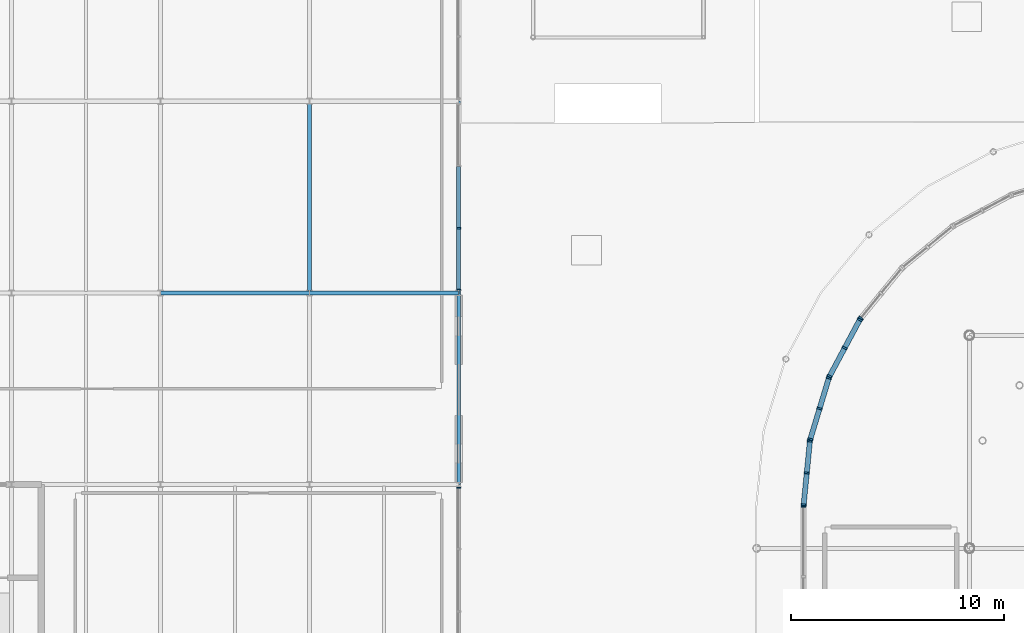
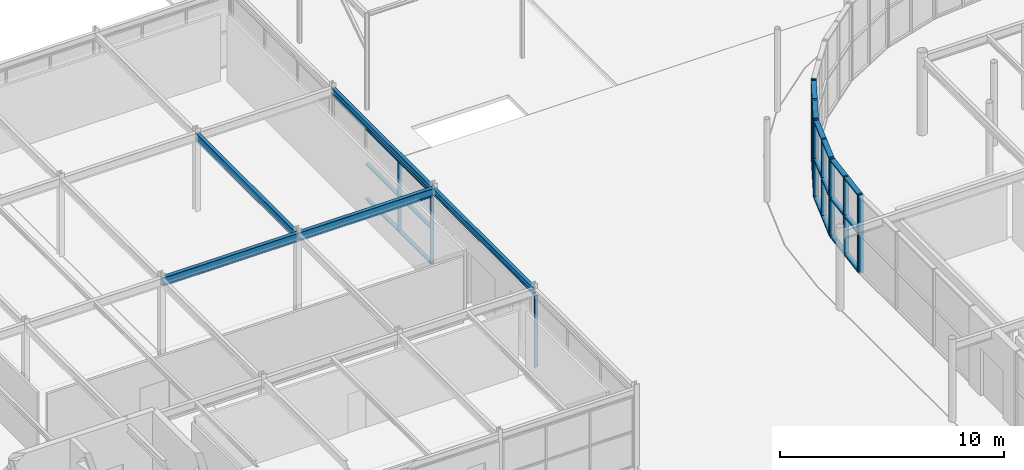
# One storey, part 51 of 119: 38 members, 5 beams, 7 elements without a shape of their own.
"""IFC4 building model written with IfcOpenShell, lengths in metres."""

import ifcopenshell
import ifcopenshell.guid

model = None  # the IFC model being written
_history = None  # IfcOwnerHistory: only IFC2X3 demands one
_inside = {}  # id of a spatial element -> (the spatial element, [elements in it])
_under = {}  # id of a project, library or spatial element -> (it, [spatial elements below it])
_declared = {}  # id of a project -> (the project, [libraries it declares])
_typed = {}  # id of a type object -> (the type object, [elements of that type])
_made_of = {}  # id of a material, layer set ... -> (it, [elements and type objects made of it])


def new_model(schema):
    """Start an empty IFC model of exactly this schema.

    Asked for "IFC4X3", IfcOpenShell would pick the latest addendum, in which some entities
    have other attributes; the version numbers below select the first issue.
    IFC2X3 requires an IfcOwnerHistory on every rooted entity: one is made here for all.
    """
    global model, _history
    if schema == "IFC4X3":
        model = ifcopenshell.file(schema_version=(4, 3, 0, 0))
    else:
        model = ifcopenshell.file(schema=schema)
    _inside.clear()
    _under.clear()
    _declared.clear()
    _typed.clear()
    _made_of.clear()
    _history = None
    if model.schema == "IFC2X3":
        org = make("IfcOrganization", Name="unknown")
        user = make(
            "IfcPersonAndOrganization",
            ThePerson=make("IfcPerson", FamilyName="unknown"),
            TheOrganization=org,
        )
        app = make(
            "IfcApplication",
            ApplicationDeveloper=org,
            Version="unknown",
            ApplicationFullName="unknown",
            ApplicationIdentifier="unknown",
        )
        _history = make(
            "IfcOwnerHistory",
            OwningUser=user,
            OwningApplication=app,
            ChangeAction="ADDED",
            CreationDate=0,
        )
    return model


def make(cls, **values):
    """One entity of the class cls with the attributes given. An attribute that is None is left unset."""
    return model.create_entity(
        cls, **{name: value for name, value in values.items() if value is not None}
    )


def rooted(cls, **values):
    """An entity with a GlobalId (a new one), such as an element, a storey or a relation."""
    return make(cls, GlobalId=ifcopenshell.guid.new(), OwnerHistory=_history, **values)


def si_unit(unit_type, name, prefix=None):
    """IfcSIUnit, for example si_unit("LENGTHUNIT", "METRE", prefix="MILLI")."""
    return make("IfcSIUnit", UnitType=unit_type, Prefix=prefix, Name=name)


def derived_unit(unit_type, elements):
    """IfcDerivedUnit: a product of units, each with its exponent."""
    return make(
        "IfcDerivedUnit",
        Elements=[
            make("IfcDerivedUnitElement", Unit=unit, Exponent=power)
            for unit, power in elements
        ],
        UnitType=unit_type,
    )


def assignment(units):
    """IfcUnitAssignment: the units of a project."""
    return None if units is None else make("IfcUnitAssignment", Units=units)


def point(xyz):
    """IfcCartesianPoint."""
    return None if xyz is None else make("IfcCartesianPoint", Coordinates=xyz)


def direction(xyz):
    """IfcDirection."""
    return None if xyz is None else make("IfcDirection", DirectionRatios=xyz)


def frame(location, z_axis=None, x_axis=None):
    """IfcAxis2Placement3D, a coordinate frame: its origin and axes. An axis left out is left unset."""
    return make(
        "IfcAxis2Placement3D",
        Location=point(location),
        Axis=direction(z_axis),
        RefDirection=direction(x_axis),
    )


def frame_2d(location, x_axis=None):
    """IfcAxis2Placement2D, a coordinate frame in the plane: its origin and x axis."""
    return make(
        "IfcAxis2Placement2D", Location=point(location), RefDirection=direction(x_axis)
    )


def origin():
    """The frame at (0, 0, 0) with its axes left unset."""
    return frame((0.0, 0.0, 0.0))


def origin_2d_with_axis():
    """The frame at (0, 0) in the plane with the x axis (1, 0) written out."""
    return frame_2d((0.0, 0.0), x_axis=(1.0, 0.0))


def place(relative_to, where):
    """IfcLocalPlacement: puts the frame where relative to a parent placement (None: the world)."""
    return make(
        "IfcLocalPlacement", PlacementRelTo=relative_to, RelativePlacement=where
    )


def context(
    kind, dimensions, precision=None, world=None, true_north=None, identifier=None
):
    """IfcGeometricRepresentationContext, for example the 3D "Model" context."""
    return make(
        "IfcGeometricRepresentationContext",
        ContextIdentifier=identifier,
        ContextType=kind,
        CoordinateSpaceDimension=dimensions,
        Precision=precision,
        WorldCoordinateSystem=world,
        TrueNorth=true_north,
    )


def subcontext(parent, identifier, kind, view, scale=None):
    """IfcGeometricRepresentationSubContext, for example "Body" below "Model"."""
    return make(
        "IfcGeometricRepresentationSubContext",
        ContextIdentifier=identifier,
        ContextType=kind,
        ParentContext=parent,
        TargetScale=scale,
        TargetView=view,
    )


def project(units=None, contexts=None):
    """IfcProject with its units and contexts."""
    return rooted(
        "IfcProject",
        Name="project",
        RepresentationContexts=contexts,
        UnitsInContext=assignment(units),
    )


def spatial(cls, under=None, at=None, **own):
    """A site, building, storey or space (cls), placed at a placement, below another one or the project."""
    s = rooted(cls, ObjectPlacement=at, **own)
    if under is not None:
        _under.setdefault(under.id(), (under, []))[1].append(s)
    return s


def profile(cls, at=None, kind="AREA", **sizes):
    """A parametric profile (cls). Its sizes go by their IFC names, for example OverallWidth=200.0."""
    return make(cls, ProfileType=kind, Position=at, **sizes)


def rectangle(**sizes):
    """IfcRectangleProfileDef."""
    return profile("IfcRectangleProfileDef", **sizes)


def i_section(**sizes):
    """IfcIShapeProfileDef."""
    return profile("IfcIShapeProfileDef", **sizes)


def extrude(swept, where, along, depth):
    """IfcExtrudedAreaSolid: the profile swept, set in the frame where, extruded along a direction by depth."""
    return make(
        "IfcExtrudedAreaSolid",
        SweptArea=swept,
        Position=where,
        ExtrudedDirection=direction(along),
        Depth=depth,
    )


def shape(context_of_items, identifier, shape_type, items):
    """IfcShapeRepresentation: the items that make up one representation, for example the "Body"."""
    return make(
        "IfcShapeRepresentation",
        ContextOfItems=context_of_items,
        RepresentationIdentifier=identifier,
        RepresentationType=shape_type,
        Items=items,
    )


def material(Name=None, Category=None):
    """IfcMaterial."""
    return make("IfcMaterial", Name=Name, Category=Category)


def material_profile(
    of_material, cross_section, Name=None, Category=None, Priority=None
):
    """IfcMaterialProfile: a cross section and its material."""
    return make(
        "IfcMaterialProfile",
        Name=Name,
        Material=of_material,
        Profile=cross_section,
        Priority=Priority,
        Category=Category,
    )


def profile_set(profiles, Name=None, composite=None):
    """IfcMaterialProfileSet."""
    return make(
        "IfcMaterialProfileSet",
        Name=Name,
        MaterialProfiles=profiles,
        CompositeProfile=composite,
    )


def made_of(thing, what):
    """Note that an element or type object is made of a material, layer set ...; save() writes the relation."""
    if what is not None:
        _made_of.setdefault(what.id(), (what, []))[1].append(thing)
    return thing


def type_object(cls, material=None, **own):
    """A type object (cls), such as IfcWallType, which elements share."""
    return made_of(rooted(cls, **own), material)


def element(
    cls,
    number,
    at=None,
    inside=None,
    cuts=None,
    type_object=None,
    material=None,
    context=None,
    identifier="Body",
    shape_type=None,
    held_by="IfcProductDefinitionShape",
    body=None,
    shapes=None,
    **own,
):
    """One element of the class cls, such as IfcWall. Its Tag is "e" and its number.

    at: its placement. inside: the storey or other place that contains it. cuts: it is an
    opening in that element (IfcRelVoidsElement). A single representation is given by context,
    identifier, shape_type and body (its items); several are given by shapes. held_by: the class
    of the entity that holds the representations. save() writes the other relations.
    """
    e = rooted(cls, Tag="e%d" % number, ObjectPlacement=at, **own)
    if body is not None:
        shapes = [shape(context, identifier, shape_type, body)]
    if shapes is not None:
        e.Representation = make(held_by, Representations=shapes)
    if inside is not None:
        _inside.setdefault(inside.id(), (inside, []))[1].append(e)
    if cuts is not None:
        rooted(
            "IfcRelVoidsElement", RelatingBuildingElement=cuts, RelatedOpeningElement=e
        )
    if type_object is not None:
        _typed.setdefault(type_object.id(), (type_object, []))[1].append(e)
    return made_of(e, material)


def aggregate(whole, parts):
    """IfcRelAggregates: a whole, such as a stair, and the parts it consists of."""
    return rooted("IfcRelAggregates", RelatingObject=whole, RelatedObjects=parts)


def save(model, path):
    """Write the relations noted so far, then the file.

    IfcRelAggregates (storeys below a building ...), IfcRelContainedInSpatialStructure (elements
    in a storey), IfcRelDefinesByType, IfcRelAssociatesMaterial and IfcRelDeclares: one each for
    every whole, place, type object, material and project.
    """
    for whole, parts in _under.values():
        aggregate(whole, parts)
    for where, things in _inside.values():
        rooted(
            "IfcRelContainedInSpatialStructure",
            RelatedElements=things,
            RelatingStructure=where,
        )
    for kind, things in _typed.values():
        rooted("IfcRelDefinesByType", RelatedObjects=things, RelatingType=kind)
    for what, things in _made_of.values():
        rooted("IfcRelAssociatesMaterial", RelatedObjects=things, RelatingMaterial=what)
    for by, libraries in _declared.values():
        rooted("IfcRelDeclares", RelatingContext=by, RelatedDefinitions=libraries)
    model.write(path)


model = new_model("IFC4")

# Units and contexts
model_context = context("Model", 3, precision=1e-05, world=origin(), true_north=direction((0.0, 1.0)))
body_context = subcontext(model_context, "Body", "Model", "MODEL_VIEW")
ifc_project = project(units=[si_unit("LENGTHUNIT", "METRE"), si_unit("AREAUNIT", "SQUARE_METRE"), si_unit("VOLUMEUNIT", "CUBIC_METRE"), si_unit("PLANEANGLEUNIT", "RADIAN"), si_unit("MASSUNIT", "GRAM", prefix="KILO"), derived_unit("THERMALTRANSMITTANCEUNIT", [(si_unit("POWERUNIT", "WATT"), 1), (si_unit("LENGTHUNIT", "METRE"), -2), (si_unit("THERMODYNAMICTEMPERATUREUNIT", "KELVIN"), -1)])], contexts=[model_context])

# Site, building, storey
site_placement = place(None, origin())
site = spatial("IfcSite", under=ifc_project, at=site_placement, CompositionType="ELEMENT")
building_placement = place(site_placement, origin())
building = spatial("IfcBuilding", under=site, at=building_placement, Name="Cinnabar Yard Market Hall", CompositionType="ELEMENT")
storey_placement = place(building_placement, origin())
storey = spatial("IfcBuildingStorey", under=building, at=storey_placement, Name="L00", CompositionType="ELEMENT", Elevation=0.0)

# Beams
ifc_material_1 = material(Name="Steel Grade 300 (300 MPa)", Category="steel")
ifc_material_profile_1 = material_profile(ifc_material_1, i_section(OverallWidth=0.18994140625, OverallDepth=0.453857421875, WebThickness=0.008544921875, FlangeThickness=0.0126953125, FilletRadius=0.011474609375, at=origin_2d_with_axis()), Name="460UB67.1")
ifc_profile_set_1 = profile_set([ifc_material_profile_1], Name="Steel Grade 300 (300 MPa)")
beam_type_1 = type_object("IfcBeamType", Name="BM-B05", PredefinedType="BEAM", material=ifc_profile_set_1)
for number, where, z_axis, x_axis, name in (
    (1, (38.0, 66.0, 4.01318359375), (1.0, 0.0, 0.0), (0.0, 1.0, 0.0), "V2 L00 Girder X 00656"),
    (2, (45.0, 66.0, 4.01318359375), (1.0, 0.0, 0.0), (0.0, 1.0, 0.0), "V2 L00 Girder X 00661"),
):
    element("IfcBeam", number, at=place(storey_placement, frame(where, z_axis=z_axis, x_axis=x_axis)), inside=storey, type_object=beam_type_1, Name=name, PredefinedType="BEAM", context=body_context, shape_type="SweptSolid", body=[
        extrude(i_section(OverallWidth=0.18994140625, OverallDepth=0.453857421875, WebThickness=0.008544921875, FlangeThickness=0.0126953125, FilletRadius=0.011474609375, at=origin_2d_with_axis()), origin(), (0.0, 0.0, 1.0), 7.0),
    ])
ifc_material_profile_2 = material_profile(ifc_material_1, i_section(OverallWidth=0.177978515625, OverallDepth=0.406494140625, WebThickness=0.0078125, FlangeThickness=0.0126953125, FilletRadius=0.011474609375, at=origin_2d_with_axis()), Name="410UB59.7")
ifc_profile_set_2 = profile_set([ifc_material_profile_2], Name="Steel Grade 300 (300 MPa)")
beam_type_2 = type_object("IfcBeamType", Name="BM-B06", PredefinedType="BEAM", material=ifc_profile_set_2)
beam_placement = place(storey_placement, frame((45.0, 66.0, 4.036865234375), z_axis=(0.0, 1.0, 0.0), x_axis=(-1.0, 0.0, 0.0)))
element("IfcBeam", 3, at=beam_placement, inside=storey, type_object=beam_type_2, Name="V2 L00 Girder Y 00701", PredefinedType="BEAM", context=body_context, shape_type="SweptSolid", body=[
    extrude(i_section(OverallWidth=0.177978515625, OverallDepth=0.406494140625, WebThickness=0.0078125, FlangeThickness=0.0126953125, FilletRadius=0.011474609375, at=origin_2d_with_axis()), origin(), (0.0, 0.0, 1.0), 9.0),
])
ifc_material_profile_3 = material_profile(ifc_material_1, i_section(OverallWidth=0.172119140625, OverallDepth=0.358642578125, WebThickness=0.008056640625, FlangeThickness=0.012939453125, FilletRadius=0.011474609375, at=origin_2d_with_axis()), Name="360UB56.7")
ifc_profile_set_3 = profile_set([ifc_material_profile_3], Name="Steel Grade 300 (300 MPa)")
beam_type_3 = type_object("IfcBeamType", Name="BM-SP02E", PredefinedType="SPANDREL", material=ifc_profile_set_3)
for number, where, z_axis, x_axis, name in (
    (4, (52.0, 57.0, 4.060791015625), (0.0, 1.0, 0.0), (-1.0, 0.0, 0.0), "V2 L00 Girder Y 00704"),
    (5, (52.0, 66.0, 4.060791015625), (0.0, 1.0, 0.0), (-1.0, 0.0, 0.0), "V2 L00 Girder Y 00705"),
):
    element("IfcBeam", number, at=place(storey_placement, frame(where, z_axis=z_axis, x_axis=x_axis)), inside=storey, type_object=beam_type_3, Name=name, PredefinedType="SPANDREL", context=body_context, shape_type="SweptSolid", body=[
        extrude(i_section(OverallWidth=0.172119140625, OverallDepth=0.358642578125, WebThickness=0.008056640625, FlangeThickness=0.012939453125, FilletRadius=0.011474609375, at=origin_2d_with_axis()), origin(), (0.0, 0.0, 1.0), 9.0),
    ])

# Curtain wall, member
ifc_material_2 = material(Name="Anodised bronze aluminium curved-chord facade", Category="aluminium")
curtain_wall_type_1 = type_object("IfcCurtainWallType", Name="CW-CWC031x42", PredefinedType="NOTDEFINED", material=ifc_material_2)
curtain_wall_1_placement = place(storey_placement, origin())
curtain_wall_1 = element("IfcCurtainWall", 6, at=curtain_wall_1_placement, inside=storey, type_object=curtain_wall_type_1, Name="Corner NW Chord 5 L00", PredefinedType="NOTDEFINED")
ifc_material_3 = material(Name="Anodised bronze aluminium", Category="aluminium")
ifc_material_profile_4 = material_profile(ifc_material_3, rectangle(XDim=0.239990234375, YDim=0.090087890625, at=origin_2d_with_axis()), Name="MUL-CWC")
ifc_profile_set_4 = profile_set([ifc_material_profile_4], Name="Anodised bronze aluminium")
member_type_1 = type_object("IfcMemberType", Name="CWM-CWC", PredefinedType="MULLION", material=ifc_profile_set_4)
member_1_placement = place(storey_placement, frame((70.891357421875, 64.812744140625, 0.0), z_axis=(0.0, 0.0, 1.0), x_axis=(0.773018564222, -0.634383400924, 0.0)))
member_1 = element("IfcMember", 7, at=member_1_placement, type_object=member_type_1, Name="CWC031x42 mullion 3", PredefinedType="MULLION", context=body_context, shape_type="SweptSolid", body=[
    extrude(rectangle(XDim=0.239990234375, YDim=0.090087890625, at=origin_2d_with_axis()), origin(), (0.0, 0.0, 1.0), 4.239990234375),
])
aggregate(curtain_wall_1, [member_1])

# Curtain wall, members
curtain_wall_2_placement = place(storey_placement, origin())
curtain_wall_2 = element("IfcCurtainWall", 8, at=curtain_wall_2_placement, inside=storey, type_object=curtain_wall_type_1, Name="Corner NW Chord 6 L00", PredefinedType="NOTDEFINED")
member_2_placement = place(storey_placement, frame((70.841552734375, 64.73828125, 0.0), z_axis=(0.0, 0.0, 1.0), x_axis=(0.881917320707, -0.471404114786, 0.0)))
member_2 = element("IfcMember", 9, at=member_2_placement, type_object=member_type_1, Name="CWC031x42 mullion 1", PredefinedType="MULLION", context=body_context, shape_type="SweptSolid", body=[
    extrude(rectangle(XDim=0.239990234375, YDim=0.090087890625, at=origin_2d_with_axis()), origin(), (0.0, 0.0, 1.0), 4.239990234375),
])
member_3_placement = place(storey_placement, frame((70.1328125, 63.412109375, 0.0), z_axis=(0.0, 0.0, 1.0), x_axis=(0.881917320707, -0.471404114786, 0.0)))
member_3 = element("IfcMember", 10, at=member_3_placement, type_object=member_type_1, Name="CWC031x42 mullion 2", PredefinedType="MULLION", context=body_context, shape_type="SweptSolid", body=[
    extrude(rectangle(XDim=0.239990234375, YDim=0.090087890625, at=origin_2d_with_axis()), origin(), (0.0, 0.0, 1.0), 4.239990234375),
])
member_4_placement = place(storey_placement, frame((69.423828125, 62.086181640625, 0.0), z_axis=(0.0, 0.0, 1.0), x_axis=(0.881917320707, -0.471404114786, 0.0)))
member_4 = element("IfcMember", 11, at=member_4_placement, type_object=member_type_1, Name="CWC031x42 mullion 3", PredefinedType="MULLION", context=body_context, shape_type="SweptSolid", body=[
    extrude(rectangle(XDim=0.239990234375, YDim=0.090087890625, at=origin_2d_with_axis()), origin(), (0.0, 0.0, 1.0), 4.239990234375),
])

curtain_wall_3_placement = place(storey_placement, origin())
curtain_wall_3 = element("IfcCurtainWall", 12, at=curtain_wall_3_placement, inside=storey, type_object=curtain_wall_type_1, Name="Corner NW Chord 7 L00", PredefinedType="NOTDEFINED")
member_5_placement = place(storey_placement, frame((69.3896484375, 62.00341796875, 0.0), z_axis=(0.0, 0.0, 1.0), x_axis=(0.956942090856, -0.290278891325, 0.0)))
member_5 = element("IfcMember", 13, at=member_5_placement, type_object=member_type_1, Name="CWC031x42 mullion 1", PredefinedType="MULLION", context=body_context, shape_type="SweptSolid", body=[
    extrude(rectangle(XDim=0.239990234375, YDim=0.090087890625, at=origin_2d_with_axis()), origin(), (0.0, 0.0, 1.0), 4.239990234375),
])
member_6_placement = place(storey_placement, frame((68.953125, 60.564453125, 0.0), z_axis=(0.0, 0.0, 1.0), x_axis=(0.956942090856, -0.290278891325, 0.0)))
member_6 = element("IfcMember", 14, at=member_6_placement, type_object=member_type_1, Name="CWC031x42 mullion 2", PredefinedType="MULLION", context=body_context, shape_type="SweptSolid", body=[
    extrude(rectangle(XDim=0.239990234375, YDim=0.090087890625, at=origin_2d_with_axis()), origin(), (0.0, 0.0, 1.0), 4.239990234375),
])
member_7_placement = place(storey_placement, frame((68.5166015625, 59.12548828125, 0.0), z_axis=(0.0, 0.0, 1.0), x_axis=(0.956942090856, -0.290278891325, 0.0)))
member_7 = element("IfcMember", 15, at=member_7_placement, type_object=member_type_1, Name="CWC031x42 mullion 3", PredefinedType="MULLION", context=body_context, shape_type="SweptSolid", body=[
    extrude(rectangle(XDim=0.239990234375, YDim=0.090087890625, at=origin_2d_with_axis()), origin(), (0.0, 0.0, 1.0), 4.239990234375),
])

curtain_wall_4_placement = place(storey_placement, origin())
curtain_wall_4 = element("IfcCurtainWall", 16, at=curtain_wall_4_placement, inside=storey, type_object=curtain_wall_type_1, Name="Corner NW Chord 8 L00", PredefinedType="NOTDEFINED")
member_8_placement = place(storey_placement, frame((68.499267578125, 59.03759765625, 0.0), z_axis=(0.0, 0.0, 1.0), x_axis=(0.995184408637, -0.098020369342, 0.0)))
member_8 = element("IfcMember", 17, at=member_8_placement, type_object=member_type_1, Name="CWC031x42 mullion 1", PredefinedType="MULLION", context=body_context, shape_type="SweptSolid", body=[
    extrude(rectangle(XDim=0.239990234375, YDim=0.090087890625, at=origin_2d_with_axis()), origin(), (0.0, 0.0, 1.0), 4.239990234375),
])
member_9_placement = place(storey_placement, frame((68.351806640625, 57.541259765625, 0.0), z_axis=(0.0, 0.0, 1.0), x_axis=(0.995184408637, -0.098020369342, 0.0)))
member_9 = element("IfcMember", 18, at=member_9_placement, type_object=member_type_1, Name="CWC031x42 mullion 2", PredefinedType="MULLION", context=body_context, shape_type="SweptSolid", body=[
    extrude(rectangle(XDim=0.239990234375, YDim=0.090087890625, at=origin_2d_with_axis()), origin(), (0.0, 0.0, 1.0), 4.239990234375),
])
member_10_placement = place(storey_placement, frame((68.204345703125, 56.044677734375, 0.0), z_axis=(0.0, 0.0, 1.0), x_axis=(0.995184408637, -0.098020369342, 0.0)))
member_10 = element("IfcMember", 19, at=member_10_placement, type_object=member_type_1, Name="CWC031x42 mullion 3", PredefinedType="MULLION", context=body_context, shape_type="SweptSolid", body=[
    extrude(rectangle(XDim=0.239990234375, YDim=0.090087890625, at=origin_2d_with_axis()), origin(), (0.0, 0.0, 1.0), 4.239990234375),
])

# Curtain wall, member
ifc_material_4 = material(Name="Anodised bronze aluminium courtyard facade", Category="aluminium")
curtain_wall_type_2 = type_object("IfcCurtainWallType", Name="CW-CWF088x39", PredefinedType="NOTDEFINED", material=ifc_material_4)
curtain_wall_5_placement = place(storey_placement, origin())
curtain_wall_5 = element("IfcCurtainWall", 20, at=curtain_wall_5_placement, inside=storey, type_object=curtain_wall_type_2, Name="Pavilion Courtyard Glazing L00 Bay 1", PredefinedType="NOTDEFINED")
ifc_material_profile_5 = material_profile(ifc_material_3, rectangle(XDim=0.179931640625, YDim=0.074951171875, at=origin_2d_with_axis()), Name="MUL-CWF")
ifc_profile_set_5 = profile_set([ifc_material_profile_5], Name="Anodised bronze aluminium")
member_type_2 = type_object("IfcMemberType", Name="CWM-CWF", PredefinedType="MULLION", material=ifc_profile_set_5)
member_11_placement = place(storey_placement, frame((52.0, 56.862548828125, 0.0), z_axis=(0.0, 0.0, 1.0), x_axis=(-1.0, 0.0, 0.0)))
member_11 = element("IfcMember", 21, at=member_11_placement, type_object=member_type_2, Name="CWF088x39 mullion 4", PredefinedType="MULLION", context=body_context, shape_type="SweptSolid", body=[
    extrude(rectangle(XDim=0.179931640625, YDim=0.074951171875, at=origin_2d_with_axis()), origin(), (0.0, 0.0, 1.0), 3.8798828125),
])
aggregate(curtain_wall_5, [member_11])

# Curtain wall, members
curtain_wall_6_placement = place(storey_placement, origin())
curtain_wall_6 = element("IfcCurtainWall", 22, at=curtain_wall_6_placement, inside=storey, type_object=curtain_wall_type_2, Name="Pavilion Courtyard Glazing L00 Bay 3", PredefinedType="NOTDEFINED")
member_12_placement = place(storey_placement, frame((52.0, 66.137451171875, 0.0), z_axis=(0.0, 0.0, 1.0), x_axis=(-1.0, 0.0, 0.0)))
member_12 = element("IfcMember", 23, at=member_12_placement, type_object=member_type_2, Name="CWF088x39 mullion 1", PredefinedType="MULLION", context=body_context, shape_type="SweptSolid", body=[
    extrude(rectangle(XDim=0.179931640625, YDim=0.074951171875, at=origin_2d_with_axis()), origin(), (0.0, 0.0, 1.0), 3.8798828125),
])
member_13_placement = place(storey_placement, frame((52.0, 69.033447265625, 0.0), z_axis=(0.0, 0.0, 1.0), x_axis=(-1.0, 0.0, 0.0)))
member_13 = element("IfcMember", 24, at=member_13_placement, type_object=member_type_2, Name="CWF088x39 mullion 2", PredefinedType="MULLION", context=body_context, shape_type="SweptSolid", body=[
    extrude(rectangle(XDim=0.179931640625, YDim=0.074951171875, at=origin_2d_with_axis()), origin(), (0.0, 0.0, 1.0), 3.8798828125),
])

# Curtain wall, member
ifc_material_5 = material(Name="Anodised bronze aluminium and low-E glass", Category="aluminium")
curtain_wall_type_3 = type_object("IfcCurtainWallType", Name="CW-CWH100x42", PredefinedType="NOTDEFINED", material=ifc_material_5)
curtain_wall_7_placement = place(storey_placement, origin())
curtain_wall_7 = element("IfcCurtainWall", 25, at=curtain_wall_7_placement, inside=storey, type_object=curtain_wall_type_3, Name="Market Hall West Ground Glazing W2", PredefinedType="NOTDEFINED")
ifc_material_profile_6 = material_profile(ifc_material_3, rectangle(XDim=0.219970703125, YDim=0.080078125, at=origin_2d_with_axis()), Name="MUL-CWH")
ifc_profile_set_6 = profile_set([ifc_material_profile_6], Name="Anodised bronze aluminium")
member_type_3 = type_object("IfcMemberType", Name="CWM-CWH", PredefinedType="MULLION", material=ifc_profile_set_6)
member_14_placement = place(storey_placement, frame((68.199951171875, 55.9599609375, 0.0), z_axis=(0.0, 0.0, 1.0), x_axis=(1.0, 0.0, 0.0)))
member_14 = element("IfcMember", 26, at=member_14_placement, type_object=member_type_3, Name="CWH100x42 mullion 1", PredefinedType="MULLION", context=body_context, shape_type="SweptSolid", body=[
    extrude(rectangle(XDim=0.219970703125, YDim=0.080078125, at=origin_2d_with_axis()), origin(), (0.0, 0.0, 1.0), 4.239990234375),
])
aggregate(curtain_wall_7, [member_14])

# Member
ifc_material_profile_7 = material_profile(ifc_material_3, rectangle(XDim=0.239990234375, YDim=0.090087890625, at=origin_2d_with_axis()), Name="TRN-CWC")
ifc_profile_set_7 = profile_set([ifc_material_profile_7], Name="Anodised bronze aluminium")
member_type_4 = type_object("IfcMemberType", Name="CWT-CWC", PredefinedType="USERDEFINED", material=ifc_profile_set_7)
member_15_placement = place(storey_placement, frame((70.8203125, 64.69873046875, 0.044921875), z_axis=(-0.471296210365, -0.881974989496, 0.0), x_axis=(0.881974989496, -0.471296210365, 0.0)))
member_15 = element("IfcMember", 27, at=member_15_placement, type_object=member_type_4, Name="CWC031x42 transom 1.1", ObjectType="TRANSOM", PredefinedType="USERDEFINED", context=body_context, shape_type="SweptSolid", body=[
    extrude(rectangle(XDim=0.239990234375, YDim=0.090087890625, at=origin_2d_with_axis()), origin(), (0.0, 0.0, 1.0), 1.41357421875),
])

member_16_placement = place(storey_placement, frame((70.8203125, 64.69873046875, 2.1201171875), z_axis=(-0.471296210365, -0.881974989496, 0.0), x_axis=(0.881974989496, -0.471296210365, 0.0)))
member_16 = element("IfcMember", 28, at=member_16_placement, type_object=member_type_4, Name="CWC031x42 transom 1.2", ObjectType="TRANSOM", PredefinedType="USERDEFINED", context=body_context, shape_type="SweptSolid", body=[
    extrude(rectangle(XDim=0.239990234375, YDim=0.090087890625, at=origin_2d_with_axis()), origin(), (0.0, 0.0, 1.0), 1.41357421875),
])

member_17_placement = place(storey_placement, frame((70.8203125, 64.69873046875, 4.195068359375), z_axis=(-0.471296210365, -0.881974989496, 0.0), x_axis=(0.881974989496, -0.471296210365, 0.0)))
member_17 = element("IfcMember", 29, at=member_17_placement, type_object=member_type_4, Name="CWC031x42 transom 1.3", ObjectType="TRANSOM", PredefinedType="USERDEFINED", context=body_context, shape_type="SweptSolid", body=[
    extrude(rectangle(XDim=0.239990234375, YDim=0.090087890625, at=origin_2d_with_axis()), origin(), (0.0, 0.0, 1.0), 1.41357421875),
])

member_18_placement = place(storey_placement, frame((70.111572265625, 63.37255859375, 0.044921875), z_axis=(-0.471430533224, -0.881903198965, 0.0), x_axis=(0.881903198965, -0.471430533224, 0.0)))
member_18 = element("IfcMember", 30, at=member_18_placement, type_object=member_type_4, Name="CWC031x42 transom 2.1", ObjectType="TRANSOM", PredefinedType="USERDEFINED", context=body_context, shape_type="SweptSolid", body=[
    extrude(rectangle(XDim=0.239990234375, YDim=0.090087890625, at=origin_2d_with_axis()), origin(), (0.0, 0.0, 1.0), 1.413818359375),
])

member_19_placement = place(storey_placement, frame((70.111572265625, 63.37255859375, 2.1201171875), z_axis=(-0.471430533224, -0.881903198965, 0.0), x_axis=(0.881903198965, -0.471430533224, 0.0)))
member_19 = element("IfcMember", 31, at=member_19_placement, type_object=member_type_4, Name="CWC031x42 transom 2.2", ObjectType="TRANSOM", PredefinedType="USERDEFINED", context=body_context, shape_type="SweptSolid", body=[
    extrude(rectangle(XDim=0.239990234375, YDim=0.090087890625, at=origin_2d_with_axis()), origin(), (0.0, 0.0, 1.0), 1.413818359375),
])

member_20_placement = place(storey_placement, frame((70.111572265625, 63.37255859375, 4.195068359375), z_axis=(-0.471430533224, -0.881903198965, 0.0), x_axis=(0.881903198965, -0.471430533224, 0.0)))
member_20 = element("IfcMember", 32, at=member_20_placement, type_object=member_type_4, Name="CWC031x42 transom 2.3", ObjectType="TRANSOM", PredefinedType="USERDEFINED", context=body_context, shape_type="SweptSolid", body=[
    extrude(rectangle(XDim=0.239990234375, YDim=0.090087890625, at=origin_2d_with_axis()), origin(), (0.0, 0.0, 1.0), 1.413818359375),
])

aggregate(curtain_wall_2, [member_2, member_3, member_4, member_15, member_16, member_17, member_18, member_19, member_20])

member_21_placement = place(storey_placement, frame((69.37646484375, 61.960205078125, 0.044921875), z_axis=(-0.290151195166, -0.956980816915, 0.0), x_axis=(0.956980816915, -0.290151195166, 0.0)))
member_21 = element("IfcMember", 33, at=member_21_placement, type_object=member_type_4, Name="CWC031x42 transom 1.1", ObjectType="TRANSOM", PredefinedType="USERDEFINED", context=body_context, shape_type="SweptSolid", body=[
    extrude(rectangle(XDim=0.239990234375, YDim=0.090087890625, at=origin_2d_with_axis()), origin(), (0.0, 0.0, 1.0), 1.41357421875),
])

member_22_placement = place(storey_placement, frame((69.37646484375, 61.960205078125, 2.1201171875), z_axis=(-0.290151195166, -0.956980816915, 0.0), x_axis=(0.956980816915, -0.290151195166, 0.0)))
member_22 = element("IfcMember", 34, at=member_22_placement, type_object=member_type_4, Name="CWC031x42 transom 1.2", ObjectType="TRANSOM", PredefinedType="USERDEFINED", context=body_context, shape_type="SweptSolid", body=[
    extrude(rectangle(XDim=0.239990234375, YDim=0.090087890625, at=origin_2d_with_axis()), origin(), (0.0, 0.0, 1.0), 1.41357421875),
])

member_23_placement = place(storey_placement, frame((69.37646484375, 61.960205078125, 4.195068359375), z_axis=(-0.290151195166, -0.956980816915, 0.0), x_axis=(0.956980816915, -0.290151195166, 0.0)))
member_23 = element("IfcMember", 35, at=member_23_placement, type_object=member_type_4, Name="CWC031x42 transom 1.3", ObjectType="TRANSOM", PredefinedType="USERDEFINED", context=body_context, shape_type="SweptSolid", body=[
    extrude(rectangle(XDim=0.239990234375, YDim=0.090087890625, at=origin_2d_with_axis()), origin(), (0.0, 0.0, 1.0), 1.41357421875),
])

member_24_placement = place(storey_placement, frame((68.940185546875, 60.521240234375, 0.044921875), z_axis=(-0.290309352341, -0.956932850279, 0.0), x_axis=(0.956932850279, -0.290309352341, 0.0)))
member_24 = element("IfcMember", 36, at=member_24_placement, type_object=member_type_4, Name="CWC031x42 transom 2.1", ObjectType="TRANSOM", PredefinedType="USERDEFINED", context=body_context, shape_type="SweptSolid", body=[
    extrude(rectangle(XDim=0.239990234375, YDim=0.090087890625, at=origin_2d_with_axis()), origin(), (0.0, 0.0, 1.0), 1.41357421875),
])

member_25_placement = place(storey_placement, frame((68.940185546875, 60.521240234375, 2.1201171875), z_axis=(-0.290309352341, -0.956932850279, 0.0), x_axis=(0.956932850279, -0.290309352341, 0.0)))
member_25 = element("IfcMember", 37, at=member_25_placement, type_object=member_type_4, Name="CWC031x42 transom 2.2", ObjectType="TRANSOM", PredefinedType="USERDEFINED", context=body_context, shape_type="SweptSolid", body=[
    extrude(rectangle(XDim=0.239990234375, YDim=0.090087890625, at=origin_2d_with_axis()), origin(), (0.0, 0.0, 1.0), 1.41357421875),
])

member_26_placement = place(storey_placement, frame((68.940185546875, 60.521240234375, 4.195068359375), z_axis=(-0.290309352341, -0.956932850279, 0.0), x_axis=(0.956932850279, -0.290309352341, 0.0)))
member_26 = element("IfcMember", 38, at=member_26_placement, type_object=member_type_4, Name="CWC031x42 transom 2.3", ObjectType="TRANSOM", PredefinedType="USERDEFINED", context=body_context, shape_type="SweptSolid", body=[
    extrude(rectangle(XDim=0.239990234375, YDim=0.090087890625, at=origin_2d_with_axis()), origin(), (0.0, 0.0, 1.0), 1.41357421875),
])

aggregate(curtain_wall_3, [member_5, member_6, member_7, member_21, member_22, member_23, member_24, member_25, member_26])

member_27_placement = place(storey_placement, frame((68.494873046875, 58.992919921875, 0.044921875), z_axis=(-0.098084531214, -0.995178086946, 0.0), x_axis=(0.995178086946, -0.098084531214, 0.0)))
member_27 = element("IfcMember", 39, at=member_27_placement, type_object=member_type_4, Name="CWC031x42 transom 1.1", ObjectType="TRANSOM", PredefinedType="USERDEFINED", context=body_context, shape_type="SweptSolid", body=[
    extrude(rectangle(XDim=0.239990234375, YDim=0.090087890625, at=origin_2d_with_axis()), origin(), (0.0, 0.0, 1.0), 1.413818359375),
])

member_28_placement = place(storey_placement, frame((68.494873046875, 58.992919921875, 2.1201171875), z_axis=(-0.098084531214, -0.995178086946, 0.0), x_axis=(0.995178086946, -0.098084531214, 0.0)))
member_28 = element("IfcMember", 40, at=member_28_placement, type_object=member_type_4, Name="CWC031x42 transom 1.2", ObjectType="TRANSOM", PredefinedType="USERDEFINED", context=body_context, shape_type="SweptSolid", body=[
    extrude(rectangle(XDim=0.239990234375, YDim=0.090087890625, at=origin_2d_with_axis()), origin(), (0.0, 0.0, 1.0), 1.413818359375),
])

member_29_placement = place(storey_placement, frame((68.494873046875, 58.992919921875, 4.195068359375), z_axis=(-0.098084531214, -0.995178086946, 0.0), x_axis=(0.995178086946, -0.098084531214, 0.0)))
member_29 = element("IfcMember", 41, at=member_29_placement, type_object=member_type_4, Name="CWC031x42 transom 1.3", ObjectType="TRANSOM", PredefinedType="USERDEFINED", context=body_context, shape_type="SweptSolid", body=[
    extrude(rectangle(XDim=0.239990234375, YDim=0.090087890625, at=origin_2d_with_axis()), origin(), (0.0, 0.0, 1.0), 1.413818359375),
])

member_30_placement = place(storey_placement, frame((68.347412109375, 57.496337890625, 0.044921875), z_axis=(-0.098101390058, -0.995176425197, 0.0), x_axis=(0.995176425197, -0.098101390058, 0.0)))
member_30 = element("IfcMember", 42, at=member_30_placement, type_object=member_type_4, Name="CWC031x42 transom 2.1", ObjectType="TRANSOM", PredefinedType="USERDEFINED", context=body_context, shape_type="SweptSolid", body=[
    extrude(rectangle(XDim=0.239990234375, YDim=0.090087890625, at=origin_2d_with_axis()), origin(), (0.0, 0.0, 1.0), 1.41357421875),
])

member_31_placement = place(storey_placement, frame((68.347412109375, 57.496337890625, 2.1201171875), z_axis=(-0.098101390058, -0.995176425197, 0.0), x_axis=(0.995176425197, -0.098101390058, 0.0)))
member_31 = element("IfcMember", 43, at=member_31_placement, type_object=member_type_4, Name="CWC031x42 transom 2.2", ObjectType="TRANSOM", PredefinedType="USERDEFINED", context=body_context, shape_type="SweptSolid", body=[
    extrude(rectangle(XDim=0.239990234375, YDim=0.090087890625, at=origin_2d_with_axis()), origin(), (0.0, 0.0, 1.0), 1.41357421875),
])

member_32_placement = place(storey_placement, frame((68.347412109375, 57.496337890625, 4.195068359375), z_axis=(-0.098101390058, -0.995176425197, 0.0), x_axis=(0.995176425197, -0.098101390058, 0.0)))
member_32 = element("IfcMember", 44, at=member_32_placement, type_object=member_type_4, Name="CWC031x42 transom 2.3", ObjectType="TRANSOM", PredefinedType="USERDEFINED", context=body_context, shape_type="SweptSolid", body=[
    extrude(rectangle(XDim=0.239990234375, YDim=0.090087890625, at=origin_2d_with_axis()), origin(), (0.0, 0.0, 1.0), 1.41357421875),
])

aggregate(curtain_wall_4, [member_8, member_9, member_10, member_27, member_28, member_29, member_30, member_31, member_32])

ifc_material_profile_8 = material_profile(ifc_material_3, rectangle(XDim=0.179931640625, YDim=0.074951171875, at=origin_2d_with_axis()), Name="TRN-CWF")
ifc_profile_set_8 = profile_set([ifc_material_profile_8], Name="Anodised bronze aluminium")
member_type_5 = type_object("IfcMemberType", Name="CWT-CWF", PredefinedType="USERDEFINED", material=ifc_profile_set_8)
member_33_placement = place(storey_placement, frame((52.0, 66.175048828125, 0.03759765625), z_axis=(0.0, 1.0, 0.0), x_axis=(-1.0, 0.0, 0.0)))
member_33 = element("IfcMember", 45, at=member_33_placement, type_object=member_type_5, Name="CWF088x39 transom 1.1", ObjectType="TRANSOM", PredefinedType="USERDEFINED", context=body_context, shape_type="SweptSolid", body=[
    extrude(rectangle(XDim=0.179931640625, YDim=0.074951171875, at=origin_2d_with_axis()), origin(), (0.0, 0.0, 1.0), 2.82080078125),
])

member_34_placement = place(storey_placement, frame((52.0, 66.175048828125, 1.93994140625), z_axis=(0.0, 1.0, 0.0), x_axis=(-1.0, 0.0, 0.0)))
member_34 = element("IfcMember", 46, at=member_34_placement, type_object=member_type_5, Name="CWF088x39 transom 1.2", ObjectType="TRANSOM", PredefinedType="USERDEFINED", context=body_context, shape_type="SweptSolid", body=[
    extrude(rectangle(XDim=0.179931640625, YDim=0.074951171875, at=origin_2d_with_axis()), origin(), (0.0, 0.0, 1.0), 2.82080078125),
])

member_35_placement = place(storey_placement, frame((52.0, 66.175048828125, 3.842529296875), z_axis=(0.0, 1.0, 0.0), x_axis=(-1.0, 0.0, 0.0)))
member_35 = element("IfcMember", 47, at=member_35_placement, type_object=member_type_5, Name="CWF088x39 transom 1.3", ObjectType="TRANSOM", PredefinedType="USERDEFINED", context=body_context, shape_type="SweptSolid", body=[
    extrude(rectangle(XDim=0.179931640625, YDim=0.074951171875, at=origin_2d_with_axis()), origin(), (0.0, 0.0, 1.0), 2.82080078125),
])

member_36_placement = place(storey_placement, frame((52.0, 69.07080078125, 0.03759765625), z_axis=(0.0, 1.0, 0.0), x_axis=(-1.0, 0.0, 0.0)))
member_36 = element("IfcMember", 48, at=member_36_placement, type_object=member_type_5, Name="CWF088x39 transom 2.1", ObjectType="TRANSOM", PredefinedType="USERDEFINED", context=body_context, shape_type="SweptSolid", body=[
    extrude(rectangle(XDim=0.179931640625, YDim=0.074951171875, at=origin_2d_with_axis()), origin(), (0.0, 0.0, 1.0), 2.8583984375),
])

member_37_placement = place(storey_placement, frame((52.0, 69.07080078125, 1.93994140625), z_axis=(0.0, 1.0, 0.0), x_axis=(-1.0, 0.0, 0.0)))
member_37 = element("IfcMember", 49, at=member_37_placement, type_object=member_type_5, Name="CWF088x39 transom 2.2", ObjectType="TRANSOM", PredefinedType="USERDEFINED", context=body_context, shape_type="SweptSolid", body=[
    extrude(rectangle(XDim=0.179931640625, YDim=0.074951171875, at=origin_2d_with_axis()), origin(), (0.0, 0.0, 1.0), 2.8583984375),
])

member_38_placement = place(storey_placement, frame((52.0, 69.07080078125, 3.842529296875), z_axis=(0.0, 1.0, 0.0), x_axis=(-1.0, 0.0, 0.0)))
member_38 = element("IfcMember", 50, at=member_38_placement, type_object=member_type_5, Name="CWF088x39 transom 2.3", ObjectType="TRANSOM", PredefinedType="USERDEFINED", context=body_context, shape_type="SweptSolid", body=[
    extrude(rectangle(XDim=0.179931640625, YDim=0.074951171875, at=origin_2d_with_axis()), origin(), (0.0, 0.0, 1.0), 2.8583984375),
])

aggregate(curtain_wall_6, [member_12, member_13, member_33, member_34, member_35, member_36, member_37, member_38])

save(model, "model.ifc")
